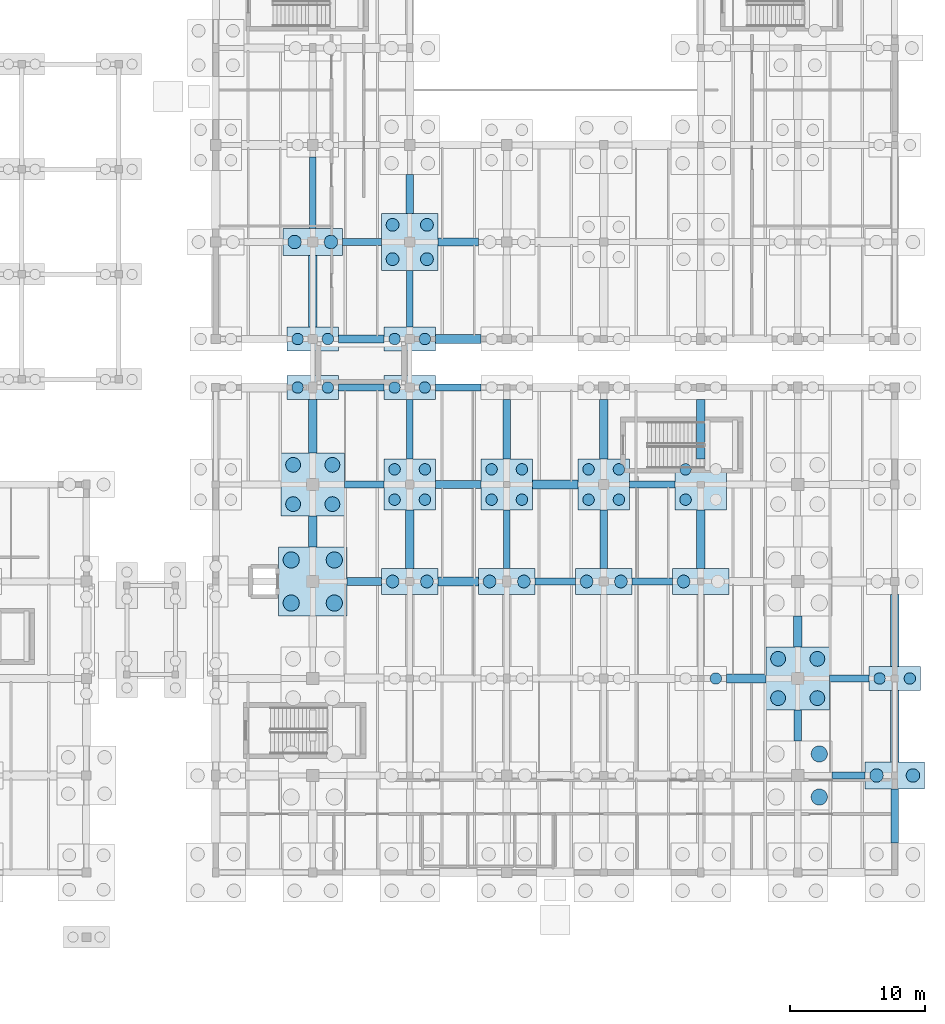
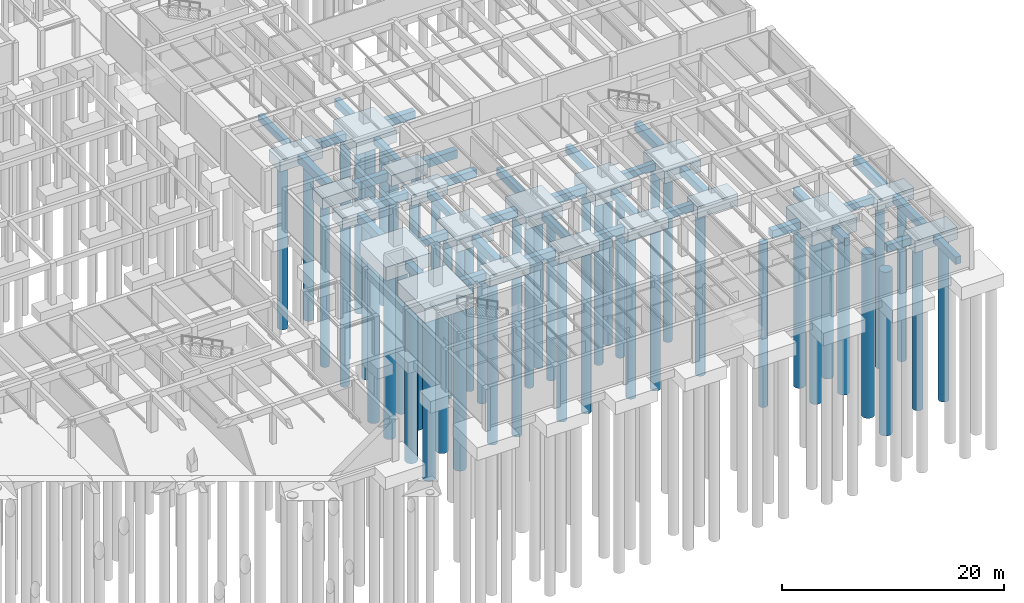
# One storey, part 13 of 63: 55 footings, 54 piles.
"""IFC4 building model written with IfcOpenShell, lengths in metres."""

import ifcopenshell
import ifcopenshell.guid

model = None  # the IFC model being written
_history = None  # IfcOwnerHistory: only IFC2X3 demands one
_inside = {}  # id of a spatial element -> (the spatial element, [elements in it])
_under = {}  # id of a project, library or spatial element -> (it, [spatial elements below it])
_declared = {}  # id of a project -> (the project, [libraries it declares])
_typed = {}  # id of a type object -> (the type object, [elements of that type])
_made_of = {}  # id of a material, layer set ... -> (it, [elements and type objects made of it])


def new_model(schema):
    """Start an empty IFC model of exactly this schema.

    Asked for "IFC4X3", IfcOpenShell would pick the latest addendum, in which some entities
    have other attributes; the version numbers below select the first issue.
    IFC2X3 requires an IfcOwnerHistory on every rooted entity: one is made here for all.
    """
    global model, _history
    if schema == "IFC4X3":
        model = ifcopenshell.file(schema_version=(4, 3, 0, 0))
    else:
        model = ifcopenshell.file(schema=schema)
    _inside.clear()
    _under.clear()
    _declared.clear()
    _typed.clear()
    _made_of.clear()
    _history = None
    if model.schema == "IFC2X3":
        org = make("IfcOrganization", Name="unknown")
        user = make(
            "IfcPersonAndOrganization",
            ThePerson=make("IfcPerson", FamilyName="unknown"),
            TheOrganization=org,
        )
        app = make(
            "IfcApplication",
            ApplicationDeveloper=org,
            Version="unknown",
            ApplicationFullName="unknown",
            ApplicationIdentifier="unknown",
        )
        _history = make(
            "IfcOwnerHistory",
            OwningUser=user,
            OwningApplication=app,
            ChangeAction="ADDED",
            CreationDate=0,
        )
    return model


def make(cls, **values):
    """One entity of the class cls with the attributes given. An attribute that is None is left unset."""
    return model.create_entity(
        cls, **{name: value for name, value in values.items() if value is not None}
    )


def rooted(cls, **values):
    """An entity with a GlobalId (a new one), such as an element, a storey or a relation."""
    return make(cls, GlobalId=ifcopenshell.guid.new(), OwnerHistory=_history, **values)


def si_unit(unit_type, name, prefix=None):
    """IfcSIUnit, for example si_unit("LENGTHUNIT", "METRE", prefix="MILLI")."""
    return make("IfcSIUnit", UnitType=unit_type, Prefix=prefix, Name=name)


def assignment(units):
    """IfcUnitAssignment: the units of a project."""
    return None if units is None else make("IfcUnitAssignment", Units=units)


def point(xyz):
    """IfcCartesianPoint."""
    return None if xyz is None else make("IfcCartesianPoint", Coordinates=xyz)


def direction(xyz):
    """IfcDirection."""
    return None if xyz is None else make("IfcDirection", DirectionRatios=xyz)


def frame(location, z_axis=None, x_axis=None):
    """IfcAxis2Placement3D, a coordinate frame: its origin and axes. An axis left out is left unset."""
    return make(
        "IfcAxis2Placement3D",
        Location=point(location),
        Axis=direction(z_axis),
        RefDirection=direction(x_axis),
    )


def frame_2d(location, x_axis=None):
    """IfcAxis2Placement2D, a coordinate frame in the plane: its origin and x axis."""
    return make(
        "IfcAxis2Placement2D", Location=point(location), RefDirection=direction(x_axis)
    )


def origin():
    """The frame at (0, 0, 0) with its axes left unset."""
    return frame((0.0, 0.0, 0.0))


def origin_2d():
    """The frame at (0, 0) in the plane with its x axis left unset."""
    return frame_2d((0.0, 0.0))


def place(relative_to, where):
    """IfcLocalPlacement: puts the frame where relative to a parent placement (None: the world)."""
    return make(
        "IfcLocalPlacement", PlacementRelTo=relative_to, RelativePlacement=where
    )


def context(
    kind, dimensions, precision=None, world=None, true_north=None, identifier=None
):
    """IfcGeometricRepresentationContext, for example the 3D "Model" context."""
    return make(
        "IfcGeometricRepresentationContext",
        ContextIdentifier=identifier,
        ContextType=kind,
        CoordinateSpaceDimension=dimensions,
        Precision=precision,
        WorldCoordinateSystem=world,
        TrueNorth=true_north,
    )


def subcontext(parent, identifier, kind, view, scale=None):
    """IfcGeometricRepresentationSubContext, for example "Body" below "Model"."""
    return make(
        "IfcGeometricRepresentationSubContext",
        ContextIdentifier=identifier,
        ContextType=kind,
        ParentContext=parent,
        TargetScale=scale,
        TargetView=view,
    )


def project(units=None, contexts=None):
    """IfcProject with its units and contexts."""
    return rooted(
        "IfcProject",
        Name="project",
        RepresentationContexts=contexts,
        UnitsInContext=assignment(units),
    )


def spatial(cls, under=None, at=None, **own):
    """A site, building, storey or space (cls), placed at a placement, below another one or the project."""
    s = rooted(cls, ObjectPlacement=at, **own)
    if under is not None:
        _under.setdefault(under.id(), (under, []))[1].append(s)
    return s


def profile(cls, at=None, kind="AREA", **sizes):
    """A parametric profile (cls). Its sizes go by their IFC names, for example OverallWidth=200.0."""
    return make(cls, ProfileType=kind, Position=at, **sizes)


def rectangle(**sizes):
    """IfcRectangleProfileDef."""
    return profile("IfcRectangleProfileDef", **sizes)


def circle(**sizes):
    """IfcCircleProfileDef."""
    return profile("IfcCircleProfileDef", **sizes)


def extrude(swept, where, along, depth):
    """IfcExtrudedAreaSolid: the profile swept, set in the frame where, extruded along a direction by depth."""
    return make(
        "IfcExtrudedAreaSolid",
        SweptArea=swept,
        Position=where,
        ExtrudedDirection=direction(along),
        Depth=depth,
    )


def shape(context_of_items, identifier, shape_type, items):
    """IfcShapeRepresentation: the items that make up one representation, for example the "Body"."""
    return make(
        "IfcShapeRepresentation",
        ContextOfItems=context_of_items,
        RepresentationIdentifier=identifier,
        RepresentationType=shape_type,
        Items=items,
    )


def material(Name=None, Category=None):
    """IfcMaterial."""
    return make("IfcMaterial", Name=Name, Category=Category)


def material_profile(
    of_material, cross_section, Name=None, Category=None, Priority=None
):
    """IfcMaterialProfile: a cross section and its material."""
    return make(
        "IfcMaterialProfile",
        Name=Name,
        Material=of_material,
        Profile=cross_section,
        Priority=Priority,
        Category=Category,
    )


def profile_set(profiles, Name=None, composite=None):
    """IfcMaterialProfileSet."""
    return make(
        "IfcMaterialProfileSet",
        Name=Name,
        MaterialProfiles=profiles,
        CompositeProfile=composite,
    )


def made_of(thing, what):
    """Note that an element or type object is made of a material, layer set ...; save() writes the relation."""
    if what is not None:
        _made_of.setdefault(what.id(), (what, []))[1].append(thing)
    return thing


def type_object(cls, material=None, **own):
    """A type object (cls), such as IfcWallType, which elements share."""
    return made_of(rooted(cls, **own), material)


def element(
    cls,
    number,
    at=None,
    inside=None,
    cuts=None,
    type_object=None,
    material=None,
    context=None,
    identifier="Body",
    shape_type=None,
    held_by="IfcProductDefinitionShape",
    body=None,
    shapes=None,
    **own,
):
    """One element of the class cls, such as IfcWall. Its Tag is "e" and its number.

    at: its placement. inside: the storey or other place that contains it. cuts: it is an
    opening in that element (IfcRelVoidsElement). A single representation is given by context,
    identifier, shape_type and body (its items); several are given by shapes. held_by: the class
    of the entity that holds the representations. save() writes the other relations.
    """
    e = rooted(cls, Tag="e%d" % number, ObjectPlacement=at, **own)
    if body is not None:
        shapes = [shape(context, identifier, shape_type, body)]
    if shapes is not None:
        e.Representation = make(held_by, Representations=shapes)
    if inside is not None:
        _inside.setdefault(inside.id(), (inside, []))[1].append(e)
    if cuts is not None:
        rooted(
            "IfcRelVoidsElement", RelatingBuildingElement=cuts, RelatedOpeningElement=e
        )
    if type_object is not None:
        _typed.setdefault(type_object.id(), (type_object, []))[1].append(e)
    return made_of(e, material)


def aggregate(whole, parts):
    """IfcRelAggregates: a whole, such as a stair, and the parts it consists of."""
    return rooted("IfcRelAggregates", RelatingObject=whole, RelatedObjects=parts)


def save(model, path):
    """Write the relations noted so far, then the file.

    IfcRelAggregates (storeys below a building ...), IfcRelContainedInSpatialStructure (elements
    in a storey), IfcRelDefinesByType, IfcRelAssociatesMaterial and IfcRelDeclares: one each for
    every whole, place, type object, material and project.
    """
    for whole, parts in _under.values():
        aggregate(whole, parts)
    for where, things in _inside.values():
        rooted(
            "IfcRelContainedInSpatialStructure",
            RelatedElements=things,
            RelatingStructure=where,
        )
    for kind, things in _typed.values():
        rooted("IfcRelDefinesByType", RelatedObjects=things, RelatingType=kind)
    for what, things in _made_of.values():
        rooted("IfcRelAssociatesMaterial", RelatedObjects=things, RelatingMaterial=what)
    for by, libraries in _declared.values():
        rooted("IfcRelDeclares", RelatingContext=by, RelatedDefinitions=libraries)
    model.write(path)


model = new_model("IFC4")

# Units and contexts
model_context = context("Model", 3, precision=1e-05, world=origin(), true_north=direction((0.0, 1.0)))
body_context = subcontext(model_context, "Body", "Model", "MODEL_VIEW")
ifc_project = project(units=[si_unit("LENGTHUNIT", "METRE"), si_unit("AREAUNIT", "SQUARE_METRE"), si_unit("VOLUMEUNIT", "CUBIC_METRE"), si_unit("PLANEANGLEUNIT", "RADIAN"), si_unit("MASSUNIT", "GRAM", prefix="KILO")], contexts=[model_context])

# Site, building, storey
site_placement = place(None, origin())
site = spatial("IfcSite", under=ifc_project, at=site_placement, CompositionType="ELEMENT")
building_placement = place(site_placement, origin())
building = spatial("IfcBuilding", under=site, at=building_placement, Name="Mazaris Harbour Polytechnic", CompositionType="ELEMENT")
storey_placement = place(building_placement, frame((0.0, 0.0, -4.5)))
storey = spatial("IfcBuildingStorey", under=building, at=storey_placement, Name="B1", CompositionType="ELEMENT", Elevation=-4.5)

# Piles
ifc_material_1 = material(Name="Concrete C35/45", Category="concrete")
ifc_material_profile_1 = material_profile(ifc_material_1, circle(Radius=0.5, at=origin_2d()), Name="DIA1000")
ifc_profile_set_1 = profile_set([ifc_material_profile_1], Name="Concrete C35/45")
pile_type_1 = type_object("IfcPileType", Name="Bored Pile 1000", PredefinedType="BORED", material=ifc_profile_set_1)
for number, where, z_axis, x_axis, name in (
    (1, (171.449951171875, 14.39990234375, -1.6201171875), (0.0, 0.0, -1.0), (1.0, 0.0, 0.0), "Bored Pile BP-107-1"),
    (2, (174.14990234375, 14.39990234375, -1.6201171875), (0.0, 0.0, -1.0), (1.0, 0.0, 0.0), "Bored Pile BP-107-2"),
    (3, (128.25, 54.0, -1.6201171875), (0.0, 0.0, -1.0), (1.0, 0.0, 0.0), "Bored Pile BP-251-1"),
    (4, (130.949951171875, 54.0, -1.6201171875), (0.0, 0.0, -1.0), (1.0, 0.0, 0.0), "Bored Pile BP-251-2"),
):
    element("IfcPile", number, at=place(storey_placement, frame(where, z_axis=z_axis, x_axis=x_axis)), inside=storey, type_object=pile_type_1, Name=name, PredefinedType="BORED", context=body_context, shape_type="SweptSolid", body=[
        extrude(circle(Radius=0.5, at=origin_2d()), origin(), (0.0, 0.0, 1.0), 18.0),
    ])
ifc_material_2 = material(Name="Concrete C35/45", Category="concrete")
ifc_material_profile_2 = material_profile(ifc_material_2, circle(Radius=0.550048828125, at=origin_2d()), Name="DIA1100")
ifc_profile_set_2 = profile_set([ifc_material_profile_2], Name="Concrete C35/45")
pile_type_2 = type_object("IfcPileType", Name="Bored Pile 1100", PredefinedType="BORED", material=ifc_profile_set_2)
for number, where, z_axis, x_axis, name in (
    (5, (128.142578125, 34.54248046875, -1.820068359375), (0.0, 0.0, -1.0), (1.0, 0.0, 0.0), "Bored Pile BP-074-1"),
    (6, (131.0576171875, 34.54248046875, -1.820068359375), (0.0, 0.0, -1.0), (1.0, 0.0, 0.0), "Bored Pile BP-074-2"),
    (7, (128.142578125, 37.45751953125, -1.820068359375), (0.0, 0.0, -1.0), (1.0, 0.0, 0.0), "Bored Pile BP-074-3"),
    (8, (131.0576171875, 37.45751953125, -1.820068359375), (0.0, 0.0, -1.0), (1.0, 0.0, 0.0), "Bored Pile BP-074-4"),
    (9, (164.142578125, 20.142578125, -1.820068359375), (0.0, 0.0, -1.0), (1.0, 0.0, 0.0), "Bored Pile BP-102-1"),
    (10, (167.0576171875, 20.142578125, -1.820068359375), (0.0, 0.0, -1.0), (1.0, 0.0, 0.0), "Bored Pile BP-102-2"),
    (11, (164.142578125, 23.0576171875, -1.820068359375), (0.0, 0.0, -1.0), (1.0, 0.0, 0.0), "Bored Pile BP-102-3"),
    (12, (167.0576171875, 23.0576171875, -1.820068359375), (0.0, 0.0, -1.0), (1.0, 0.0, 0.0), "Bored Pile BP-102-4"),
):
    element("IfcPile", number, at=place(storey_placement, frame(where, z_axis=z_axis, x_axis=x_axis)), inside=storey, type_object=pile_type_2, Name=name, PredefinedType="BORED", context=body_context, shape_type="SweptSolid", body=[
        extrude(circle(Radius=0.550048828125, at=origin_2d()), origin(), (0.0, 0.0, 1.0), 18.0),
    ])
ifc_material_3 = material(Name="Concrete C35/45", Category="concrete")
ifc_material_profile_3 = material_profile(ifc_material_3, circle(Radius=0.60009765625, at=origin_2d()), Name="DIA1200")
ifc_profile_set_3 = profile_set([ifc_material_profile_3], Name="Concrete C35/45")
pile_type_3 = type_object("IfcPileType", Name="Bored Pile 1200", PredefinedType="BORED", material=ifc_profile_set_3)
for number, where, z_axis, x_axis, name in (
    (13, (128.0, 27.199951171875, -1.8701171875), (0.0, 0.0, -1.0), (1.0, 0.0, 0.0), "Bored Pile BP-073-1"),
    (14, (131.199951171875, 27.199951171875, -1.8701171875), (0.0, 0.0, -1.0), (1.0, 0.0, 0.0), "Bored Pile BP-073-2"),
    (15, (128.0, 30.39990234375, -1.8701171875), (0.0, 0.0, -1.0), (1.0, 0.0, 0.0), "Bored Pile BP-073-3"),
    (16, (131.199951171875, 30.39990234375, -1.8701171875), (0.0, 0.0, -1.0), (1.0, 0.0, 0.0), "Bored Pile BP-073-4"),
    (17, (167.199951171875, 12.800048828125, -1.8701171875), (0.0, 0.0, -1.0), (1.0, 0.0, 0.0), "Bored Pile BP-101-2"),
    (18, (167.199951171875, 16.0, -1.8701171875), (0.0, 0.0, -1.0), (1.0, 0.0, 0.0), "Bored Pile BP-101-4"),
):
    element("IfcPile", number, at=place(storey_placement, frame(where, z_axis=z_axis, x_axis=x_axis)), inside=storey, type_object=pile_type_3, Name=name, PredefinedType="BORED", context=body_context, shape_type="SweptSolid", body=[
        extrude(circle(Radius=0.60009765625, at=origin_2d()), origin(), (0.0, 0.0, 1.0), 18.0),
    ])
ifc_material_4 = material(Name="Concrete C35/45", Category="concrete")
ifc_material_profile_4 = material_profile(ifc_material_4, circle(Radius=0.425048828125, at=origin_2d()), Name="DIA850")
ifc_profile_set_4 = profile_set([ifc_material_profile_4], Name="Concrete C35/45")
pile_type_4 = type_object("IfcPileType", Name="Bored Pile 850", PredefinedType="BORED", material=ifc_profile_set_4)
for number, where, z_axis, x_axis, name in (
    (19, (128.473876953125, 43.199951171875, -1.52001953125), (0.0, 0.0, -1.0), (1.0, 0.0, 0.0), "Bored Pile BP-075-1"),
    (20, (130.726318359375, 43.199951171875, -1.52001953125), (0.0, 0.0, -1.0), (1.0, 0.0, 0.0), "Bored Pile BP-075-2"),
    (21, (135.673828125, 34.873779296875, -1.6201171875), (0.0, 0.0, -1.0), (1.0, 0.0, 0.0), "Bored Pile BP-080-1"),
    (22, (137.92626953125, 34.873779296875, -1.6201171875), (0.0, 0.0, -1.0), (1.0, 0.0, 0.0), "Bored Pile BP-080-2"),
    (23, (135.673828125, 37.126220703125, -1.6201171875), (0.0, 0.0, -1.0), (1.0, 0.0, 0.0), "Bored Pile BP-080-3"),
    (24, (137.92626953125, 37.126220703125, -1.6201171875), (0.0, 0.0, -1.0), (1.0, 0.0, 0.0), "Bored Pile BP-080-4"),
    (25, (135.673828125, 43.199951171875, -1.52001953125), (0.0, 0.0, -1.0), (1.0, 0.0, 0.0), "Bored Pile BP-081-1"),
    (26, (137.92626953125, 43.199951171875, -1.52001953125), (0.0, 0.0, -1.0), (1.0, 0.0, 0.0), "Bored Pile BP-081-2"),
    (27, (142.873779296875, 34.873779296875, -1.6201171875), (0.0, 0.0, -1.0), (1.0, 0.0, 0.0), "Bored Pile BP-086-1"),
    (28, (145.126220703125, 34.873779296875, -1.6201171875), (0.0, 0.0, -1.0), (1.0, 0.0, 0.0), "Bored Pile BP-086-2"),
    (29, (142.873779296875, 37.126220703125, -1.6201171875), (0.0, 0.0, -1.0), (1.0, 0.0, 0.0), "Bored Pile BP-086-3"),
    (30, (145.126220703125, 37.126220703125, -1.6201171875), (0.0, 0.0, -1.0), (1.0, 0.0, 0.0), "Bored Pile BP-086-4"),
    (31, (150.07373046875, 34.873779296875, -1.6201171875), (0.0, 0.0, -1.0), (1.0, 0.0, 0.0), "Bored Pile BP-092-1"),
    (32, (152.326171875, 34.873779296875, -1.6201171875), (0.0, 0.0, -1.0), (1.0, 0.0, 0.0), "Bored Pile BP-092-2"),
    (33, (150.07373046875, 37.126220703125, -1.6201171875), (0.0, 0.0, -1.0), (1.0, 0.0, 0.0), "Bored Pile BP-092-3"),
    (34, (152.326171875, 37.126220703125, -1.6201171875), (0.0, 0.0, -1.0), (1.0, 0.0, 0.0), "Bored Pile BP-092-4"),
    (35, (159.526123046875, 21.60009765625, -1.52001953125), (0.0, 0.0, -1.0), (1.0, 0.0, 0.0), "Bored Pile BP-096-2"),
    (36, (157.273681640625, 34.873779296875, -1.6201171875), (0.0, 0.0, -1.0), (1.0, 0.0, 0.0), "Bored Pile BP-098-1"),
    (37, (157.273681640625, 37.126220703125, -1.6201171875), (0.0, 0.0, -1.0), (1.0, 0.0, 0.0), "Bored Pile BP-098-3"),
    (38, (171.673828125, 21.60009765625, -1.52001953125), (0.0, 0.0, -1.0), (1.0, 0.0, 0.0), "Bored Pile BP-108-1"),
    (39, (173.92626953125, 21.60009765625, -1.52001953125), (0.0, 0.0, -1.0), (1.0, 0.0, 0.0), "Bored Pile BP-108-2"),
    (40, (128.473876953125, 46.800048828125, -1.52001953125), (0.0, 0.0, -1.0), (1.0, 0.0, 0.0), "Bored Pile BP-250-1"),
    (41, (130.726318359375, 46.800048828125, -1.52001953125), (0.0, 0.0, -1.0), (1.0, 0.0, 0.0), "Bored Pile BP-250-2"),
    (42, (135.673828125, 46.800048828125, -1.52001953125), (0.0, 0.0, -1.0), (1.0, 0.0, 0.0), "Bored Pile BP-260-1"),
    (43, (137.92626953125, 46.800048828125, -1.52001953125), (0.0, 0.0, -1.0), (1.0, 0.0, 0.0), "Bored Pile BP-260-2"),
):
    element("IfcPile", number, at=place(storey_placement, frame(where, z_axis=z_axis, x_axis=x_axis)), inside=storey, type_object=pile_type_4, Name=name, PredefinedType="BORED", context=body_context, shape_type="SweptSolid", body=[
        extrude(circle(Radius=0.425048828125, at=origin_2d()), origin(), (0.0, 0.0, 1.0), 18.0),
    ])
ifc_material_5 = material(Name="Concrete C35/45", Category="concrete")
ifc_material_profile_5 = material_profile(ifc_material_5, circle(Radius=0.47509765625, at=origin_2d()), Name="DIA950")
ifc_profile_set_5 = profile_set([ifc_material_profile_5], Name="Concrete C35/45")
pile_type_5 = type_object("IfcPileType", Name="Bored Pile 950", PredefinedType="BORED", material=ifc_profile_set_5)
for number, where, z_axis, x_axis, name in (
    (44, (135.52490234375, 28.800048828125, -1.570068359375), (0.0, 0.0, -1.0), (1.0, 0.0, 0.0), "Bored Pile BP-079-1"),
    (45, (138.074951171875, 28.800048828125, -1.570068359375), (0.0, 0.0, -1.0), (1.0, 0.0, 0.0), "Bored Pile BP-079-2"),
    (46, (142.72509765625, 28.800048828125, -1.570068359375), (0.0, 0.0, -1.0), (1.0, 0.0, 0.0), "Bored Pile BP-085-1"),
    (47, (145.27490234375, 28.800048828125, -1.570068359375), (0.0, 0.0, -1.0), (1.0, 0.0, 0.0), "Bored Pile BP-085-2"),
    (48, (149.925048828125, 28.800048828125, -1.570068359375), (0.0, 0.0, -1.0), (1.0, 0.0, 0.0), "Bored Pile BP-091-1"),
    (49, (152.47509765625, 28.800048828125, -1.570068359375), (0.0, 0.0, -1.0), (1.0, 0.0, 0.0), "Bored Pile BP-091-2"),
    (50, (157.125, 28.800048828125, -1.570068359375), (0.0, 0.0, -1.0), (1.0, 0.0, 0.0), "Bored Pile BP-097-1"),
    (51, (135.52490234375, 52.72509765625, -1.669921875), (0.0, 0.0, -1.0), (1.0, 0.0, 0.0), "Bored Pile BP-261-1"),
    (52, (138.074951171875, 52.72509765625, -1.669921875), (0.0, 0.0, -1.0), (1.0, 0.0, 0.0), "Bored Pile BP-261-2"),
    (53, (135.52490234375, 55.27490234375, -1.669921875), (0.0, 0.0, -1.0), (1.0, 0.0, 0.0), "Bored Pile BP-261-3"),
    (54, (138.074951171875, 55.27490234375, -1.669921875), (0.0, 0.0, -1.0), (1.0, 0.0, 0.0), "Bored Pile BP-261-4"),
):
    element("IfcPile", number, at=place(storey_placement, frame(where, z_axis=z_axis, x_axis=x_axis)), inside=storey, type_object=pile_type_5, Name=name, PredefinedType="BORED", context=body_context, shape_type="SweptSolid", body=[
        extrude(circle(Radius=0.47509765625, at=origin_2d()), origin(), (0.0, 0.0, 1.0), 18.0),
    ])

# Footings
ifc_material_6 = material(Name="Concrete C35/45", Category="concrete")
footing_type_1 = type_object("IfcFootingType", Name="Pile Cap 3800x1800x1200", PredefinedType="PILE_CAP", material=ifc_material_6)
for number, where, z_axis, x_axis, name in (
    (55, (129.60009765625, 43.199951171875, -1.6201171875), (0.0, 0.0, 1.0), (1.0, 0.0, 0.0), "Pile Cap CAP-075"),
    (56, (136.800048828125, 43.199951171875, -1.6201171875), (0.0, 0.0, 1.0), (1.0, 0.0, 0.0), "Pile Cap CAP-081"),
    (57, (172.800048828125, 21.60009765625, -1.6201171875), (0.0, 0.0, 1.0), (1.0, 0.0, 0.0), "Pile Cap CAP-108"),
    (58, (129.60009765625, 46.800048828125, -1.6201171875), (0.0, 0.0, 1.0), (1.0, 0.0, 0.0), "Pile Cap CAP-250"),
    (59, (136.800048828125, 46.800048828125, -1.6201171875), (0.0, 0.0, 1.0), (1.0, 0.0, 0.0), "Pile Cap CAP-260"),
):
    element("IfcFooting", number, at=place(storey_placement, frame(where, z_axis=z_axis, x_axis=x_axis)), inside=storey, type_object=footing_type_1, Name=name, PredefinedType="PILE_CAP", context=body_context, shape_type="SweptSolid", body=[
        extrude(rectangle(XDim=3.800048828125, YDim=1.800048828125, at=origin_2d()), origin(), (0.0, 0.0, 1.0), 1.199951171875),
    ])
ifc_material_7 = material(Name="Concrete C35/45", Category="concrete")
footing_type_2 = type_object("IfcFootingType", Name="Pile Cap 3800x3800x1300", PredefinedType="PILE_CAP", material=ifc_material_7)
for number, where, z_axis, x_axis, name in (
    (60, (136.800048828125, 36.0, -1.72021484375), (0.0, 0.0, 1.0), (1.0, 0.0, 0.0), "Pile Cap CAP-080"),
    (61, (144.0, 36.0, -1.72021484375), (0.0, 0.0, 1.0), (1.0, 0.0, 0.0), "Pile Cap CAP-086"),
    (62, (151.199951171875, 36.0, -1.72021484375), (0.0, 0.0, 1.0), (1.0, 0.0, 0.0), "Pile Cap CAP-092"),
    (63, (158.39990234375, 36.0, -1.72021484375), (0.0, 0.0, 1.0), (1.0, 0.0, 0.0), "Pile Cap CAP-098"),
):
    element("IfcFooting", number, at=place(storey_placement, frame(where, z_axis=z_axis, x_axis=x_axis)), inside=storey, type_object=footing_type_2, Name=name, PredefinedType="PILE_CAP", context=body_context, shape_type="SweptSolid", body=[
        extrude(rectangle(XDim=3.800048828125, YDim=3.800048828125, at=origin_2d()), origin(), (0.0, 0.0, 1.0), 1.300048828125),
    ])
ifc_material_8 = material(Name="Concrete C35/45", Category="concrete")
footing_type_3 = type_object("IfcFootingType", Name="Pile Cap 4200x1900x1250", PredefinedType="PILE_CAP", material=ifc_material_8)
for number, where, z_axis, x_axis, name in (
    (64, (136.800048828125, 28.800048828125, -1.669921875), (0.0, 0.0, 1.0), (1.0, 0.0, 0.0), "Pile Cap CAP-079"),
    (65, (144.0, 28.800048828125, -1.669921875), (0.0, 0.0, 1.0), (1.0, 0.0, 0.0), "Pile Cap CAP-085"),
    (66, (151.199951171875, 28.800048828125, -1.669921875), (0.0, 0.0, 1.0), (1.0, 0.0, 0.0), "Pile Cap CAP-091"),
    (67, (158.39990234375, 28.800048828125, -1.669921875), (0.0, 0.0, 1.0), (1.0, 0.0, 0.0), "Pile Cap CAP-097"),
):
    element("IfcFooting", number, at=place(storey_placement, frame(where, z_axis=z_axis, x_axis=x_axis)), inside=storey, type_object=footing_type_3, Name=name, PredefinedType="PILE_CAP", context=body_context, shape_type="SweptSolid", body=[
        extrude(rectangle(XDim=4.199951171875, YDim=1.89990234375, at=origin_2d()), origin(), (0.0, 0.0, 1.0), 1.25),
    ])
ifc_material_9 = material(Name="Concrete C35/45", Category="concrete")
footing_type_4 = type_object("IfcFootingType", Name="Pile Cap 4200x4200x1350", PredefinedType="PILE_CAP", material=ifc_material_9)
footing_1_placement = place(storey_placement, frame((136.800048828125, 54.0, -1.77001953125), z_axis=(0.0, 0.0, 1.0), x_axis=(1.0, 0.0, 0.0)))
element("IfcFooting", 68, at=footing_1_placement, inside=storey, type_object=footing_type_4, Name="Pile Cap CAP-261", PredefinedType="PILE_CAP", context=body_context, shape_type="SweptSolid", body=[
    extrude(rectangle(XDim=4.199951171875, YDim=4.199951171875, at=origin_2d()), origin(), (0.0, 0.0, 1.0), 1.35009765625),
])
ifc_material_10 = material(Name="Concrete C35/45", Category="concrete")
footing_type_5 = type_object("IfcFootingType", Name="Pile Cap 4400x2000x1300", PredefinedType="PILE_CAP", material=ifc_material_10)
for number, where, z_axis, x_axis, name in (
    (69, (172.800048828125, 14.39990234375, -1.72021484375), (0.0, 0.0, 1.0), (1.0, 0.0, 0.0), "Pile Cap CAP-107"),
    (70, (129.60009765625, 54.0, -1.72021484375), (0.0, 0.0, 1.0), (1.0, 0.0, 0.0), "Pile Cap CAP-251"),
):
    element("IfcFooting", number, at=place(storey_placement, frame(where, z_axis=z_axis, x_axis=x_axis)), inside=storey, type_object=footing_type_5, Name=name, PredefinedType="PILE_CAP", context=body_context, shape_type="SweptSolid", body=[
        extrude(rectangle(XDim=4.39990234375, YDim=2.0, at=origin_2d()), origin(), (0.0, 0.0, 1.0), 1.300048828125),
    ])
ifc_material_11 = material(Name="Concrete C35/45", Category="concrete")
footing_type_6 = type_object("IfcFootingType", Name="Pile Cap 4700x4700x1500", PredefinedType="PILE_CAP", material=ifc_material_11)
for number, where, z_axis, x_axis, name in (
    (71, (129.60009765625, 36.0, -1.919921875), (0.0, 0.0, 1.0), (1.0, 0.0, 0.0), "Pile Cap CAP-074"),
    (72, (165.60009765625, 21.60009765625, -1.919921875), (0.0, 0.0, 1.0), (1.0, 0.0, 0.0), "Pile Cap CAP-102"),
):
    element("IfcFooting", number, at=place(storey_placement, frame(where, z_axis=z_axis, x_axis=x_axis)), inside=storey, type_object=footing_type_6, Name=name, PredefinedType="PILE_CAP", context=body_context, shape_type="SweptSolid", body=[
        extrude(rectangle(XDim=4.699951171875, YDim=4.699951171875, at=origin_2d()), origin(), (0.0, 0.0, 1.0), 1.5),
    ])
ifc_material_12 = material(Name="Concrete C35/45", Category="concrete")
footing_type_7 = type_object("IfcFootingType", Name="Pile Cap 5100x5100x1550", PredefinedType="PILE_CAP", material=ifc_material_12)
footing_2_placement = place(storey_placement, frame((129.60009765625, 28.800048828125, -1.97021484375), z_axis=(0.0, 0.0, 1.0), x_axis=(1.0, 0.0, 0.0)))
element("IfcFooting", 73, at=footing_2_placement, inside=storey, type_object=footing_type_7, Name="Pile Cap CAP-073", PredefinedType="PILE_CAP", context=body_context, shape_type="SweptSolid", body=[
    extrude(rectangle(XDim=5.10009765625, YDim=5.10009765625, at=origin_2d()), origin(), (0.0, 0.0, 1.0), 1.550048828125),
])
ifc_material_13 = material(Name="Concrete C35/45", Category="concrete")
ifc_material_profile_6 = material_profile(ifc_material_13, rectangle(XDim=0.5, YDim=0.75, at=origin_2d()), Name="RECT500x750")
ifc_profile_set_6 = profile_set([ifc_material_profile_6], Name="Concrete C35/45")
footing_type_8 = type_object("IfcFootingType", Name="Seismic Tie Beam 500x750", PredefinedType="FOOTING_BEAM", material=ifc_profile_set_6)
footing_3_placement = place(storey_placement, frame((167.949951171875, 21.60009765625, -0.8349609375), z_axis=(1.0, 0.0, 0.0), x_axis=(0.0, 1.0, 0.0)))
element("IfcFooting", 74, at=footing_3_placement, inside=storey, type_object=footing_type_8, Name="Seismic Tie Beam FTB-124", PredefinedType="FOOTING_BEAM", context=body_context, shape_type="SweptSolid", body=[
    extrude(rectangle(XDim=0.5, YDim=0.75, at=origin_2d()), origin(), (0.0, 0.0, 1.0), 2.949951171875),
])
footing_4_placement = place(storey_placement, frame((146.10009765625, 28.800048828125, -0.8349609375), z_axis=(1.0, 0.0, 0.0), x_axis=(0.0, 1.0, 0.0)))
element("IfcFooting", 75, at=footing_4_placement, inside=storey, type_object=footing_type_8, Name="Seismic Tie Beam FTB-128", PredefinedType="FOOTING_BEAM", context=body_context, shape_type="SweptSolid", body=[
    extrude(rectangle(XDim=0.5, YDim=0.75, at=origin_2d()), origin(), (0.0, 0.0, 1.0), 3.0),
])
for number, where, z_axis, x_axis, name in (
    (76, (153.10009765625, 36.0, -0.8349609375), (1.0, 0.0, 0.0), (0.0, 1.0, 0.0), "Seismic Tie Beam FTB-136"),
    (77, (131.5, 43.199951171875, -0.8349609375), (1.0, 0.0, 0.0), (0.0, 1.0, 0.0), "Seismic Tie Beam FTB-140"),
):
    element("IfcFooting", number, at=place(storey_placement, frame(where, z_axis=z_axis, x_axis=x_axis)), inside=storey, type_object=footing_type_8, Name=name, PredefinedType="FOOTING_BEAM", context=body_context, shape_type="SweptSolid", body=[
        extrude(rectangle(XDim=0.5, YDim=0.75, at=origin_2d()), origin(), (0.0, 0.0, 1.0), 3.39990234375),
    ])
footing_5_placement = place(storey_placement, frame((136.800048828125, 37.89990234375, -0.8349609375), z_axis=(0.0, 1.0, 0.0), x_axis=(-1.0, 0.0, 0.0)))
element("IfcFooting", 78, at=footing_5_placement, inside=storey, type_object=footing_type_8, Name="Seismic Tie Beam FTB-160", PredefinedType="FOOTING_BEAM", context=body_context, shape_type="SweptSolid", body=[
    extrude(rectangle(XDim=0.5, YDim=0.75, at=origin_2d()), origin(), (0.0, 0.0, 1.0), 4.400146484375),
])
footing_6_placement = place(storey_placement, frame((144.0, 29.75, -0.8349609375), z_axis=(0.0, 1.0, 0.0), x_axis=(-1.0, 0.0, 0.0)))
element("IfcFooting", 79, at=footing_6_placement, inside=storey, type_object=footing_type_8, Name="Seismic Tie Beam FTB-164", PredefinedType="FOOTING_BEAM", context=body_context, shape_type="SweptSolid", body=[
    extrude(rectangle(XDim=0.5, YDim=0.75, at=origin_2d()), origin(), (0.0, 0.0, 1.0), 4.35009765625),
])
footing_7_placement = place(storey_placement, frame((129.60009765625, 55.0, -0.8349609375), z_axis=(0.0, 1.0, 0.0), x_axis=(-1.0, 0.0, 0.0)))
element("IfcFooting", 80, at=footing_7_placement, inside=storey, type_object=footing_type_8, Name="Seismic Tie Beam FTB-476", PredefinedType="FOOTING_BEAM", context=body_context, shape_type="SweptSolid", body=[
    extrude(rectangle(XDim=0.5, YDim=0.75, at=origin_2d()), origin(), (0.0, 0.0, 1.0), 5.300048828125),
])
footing_8_placement = place(storey_placement, frame((136.800048828125, 47.699951171875, -0.8349609375), z_axis=(0.0, 1.0, 0.0), x_axis=(-1.0, 0.0, 0.0)))
element("IfcFooting", 81, at=footing_8_placement, inside=storey, type_object=footing_type_8, Name="Seismic Tie Beam FTB-484", PredefinedType="FOOTING_BEAM", context=body_context, shape_type="SweptSolid", body=[
    extrude(rectangle(XDim=0.5, YDim=0.75, at=origin_2d()), origin(), (0.0, 0.0, 1.0), 4.199951171875),
])
ifc_material_14 = material(Name="Concrete C35/45", Category="concrete")
ifc_material_profile_7 = material_profile(ifc_material_14, rectangle(XDim=0.550048828125, YDim=0.800048828125, at=origin_2d()), Name="RECT550x800")
ifc_profile_set_7 = profile_set([ifc_material_profile_7], Name="Concrete C35/45")
footing_type_9 = type_object("IfcFootingType", Name="Seismic Tie Beam 550x800", PredefinedType="FOOTING_BEAM", material=ifc_profile_set_7)
footing_9_placement = place(storey_placement, frame((168.14990234375, 14.39990234375, -0.860107421875), z_axis=(1.0, 0.0, 0.0), x_axis=(0.0, 1.0, 0.0)))
element("IfcFooting", 82, at=footing_9_placement, inside=storey, type_object=footing_type_9, Name="Seismic Tie Beam FTB-117", PredefinedType="FOOTING_BEAM", context=body_context, shape_type="SweptSolid", body=[
    extrude(rectangle(XDim=0.550048828125, YDim=0.800048828125, at=origin_2d()), origin(), (0.0, 0.0, 1.0), 2.4501953125),
])
footing_10_placement = place(storey_placement, frame((153.300048828125, 28.800048828125, -0.860107421875), z_axis=(1.0, 0.0, 0.0), x_axis=(0.0, 1.0, 0.0)))
element("IfcFooting", 83, at=footing_10_placement, inside=storey, type_object=footing_type_9, Name="Seismic Tie Beam FTB-129", PredefinedType="FOOTING_BEAM", context=body_context, shape_type="SweptSolid", body=[
    extrude(rectangle(XDim=0.550048828125, YDim=0.800048828125, at=origin_2d()), origin(), (0.0, 0.0, 1.0), 3.0),
])
footing_11_placement = place(storey_placement, frame((131.949951171875, 36.0, -0.860107421875), z_axis=(1.0, 0.0, 0.0), x_axis=(0.0, 1.0, 0.0)))
element("IfcFooting", 84, at=footing_11_placement, inside=storey, type_object=footing_type_9, Name="Seismic Tie Beam FTB-133", PredefinedType="FOOTING_BEAM", context=body_context, shape_type="SweptSolid", body=[
    extrude(rectangle(XDim=0.550048828125, YDim=0.800048828125, at=origin_2d()), origin(), (0.0, 0.0, 1.0), 2.949951171875),
])
footing_12_placement = place(storey_placement, frame((138.699951171875, 43.199951171875, -0.860107421875), z_axis=(1.0, 0.0, 0.0), x_axis=(0.0, 1.0, 0.0)))
element("IfcFooting", 85, at=footing_12_placement, inside=storey, type_object=footing_type_9, Name="Seismic Tie Beam FTB-141", PredefinedType="FOOTING_BEAM", context=body_context, shape_type="SweptSolid", body=[
    extrude(rectangle(XDim=0.550048828125, YDim=0.800048828125, at=origin_2d()), origin(), (0.0, 0.0, 1.0), 3.400146484375),
])
footing_13_placement = place(storey_placement, frame((144.0, 37.89990234375, -0.860107421875), z_axis=(0.0, 1.0, 0.0), x_axis=(-1.0, 0.0, 0.0)))
element("IfcFooting", 86, at=footing_13_placement, inside=storey, type_object=footing_type_9, Name="Seismic Tie Beam FTB-165", PredefinedType="FOOTING_BEAM", context=body_context, shape_type="SweptSolid", body=[
    extrude(rectangle(XDim=0.550048828125, YDim=0.800048828125, at=origin_2d()), origin(), (0.0, 0.0, 1.0), 4.400146484375),
])
footing_14_placement = place(storey_placement, frame((151.199951171875, 29.75, -0.860107421875), z_axis=(0.0, 1.0, 0.0), x_axis=(-1.0, 0.0, 0.0)))
element("IfcFooting", 87, at=footing_14_placement, inside=storey, type_object=footing_type_9, Name="Seismic Tie Beam FTB-169", PredefinedType="FOOTING_BEAM", context=body_context, shape_type="SweptSolid", body=[
    extrude(rectangle(XDim=0.550048828125, YDim=0.800048828125, at=origin_2d()), origin(), (0.0, 0.0, 1.0), 4.35009765625),
])
footing_15_placement = place(storey_placement, frame((165.60009765625, 16.949951171875, -0.860107421875), z_axis=(0.0, 1.0, 0.0), x_axis=(-1.0, 0.0, 0.0)))
element("IfcFooting", 88, at=footing_15_placement, inside=storey, type_object=footing_type_9, Name="Seismic Tie Beam FTB-177", PredefinedType="FOOTING_BEAM", context=body_context, shape_type="SweptSolid", body=[
    extrude(rectangle(XDim=0.550048828125, YDim=0.800048828125, at=origin_2d()), origin(), (0.0, 0.0, 1.0), 2.300048828125),
])
footing_16_placement = place(storey_placement, frame((172.800048828125, 9.39990234375, -0.860107421875), z_axis=(0.0, 1.0, 0.0), x_axis=(-1.0, 0.0, 0.0)))
element("IfcFooting", 89, at=footing_16_placement, inside=storey, type_object=footing_type_9, Name="Seismic Tie Beam FTB-181", PredefinedType="FOOTING_BEAM", context=body_context, shape_type="SweptSolid", body=[
    extrude(rectangle(XDim=0.550048828125, YDim=0.800048828125, at=origin_2d()), origin(), (0.0, 0.0, 1.0), 4.0),
])
for number, where, z_axis, x_axis, name in (
    (90, (131.800048828125, 54.0, -0.860107421875), (1.0, 0.0, 0.0), (0.0, 1.0, 0.0), "Seismic Tie Beam FTB-413"),
    (91, (136.800048828125, 56.10009765625, -0.860107421875), (0.0, 1.0, 0.0), (-1.0, 0.0, 0.0), "Seismic Tie Beam FTB-485"),
):
    element("IfcFooting", number, at=place(storey_placement, frame(where, z_axis=z_axis, x_axis=x_axis)), inside=storey, type_object=footing_type_9, Name=name, PredefinedType="FOOTING_BEAM", context=body_context, shape_type="SweptSolid", body=[
        extrude(rectangle(XDim=0.550048828125, YDim=0.800048828125, at=origin_2d()), origin(), (0.0, 0.0, 1.0), 2.89990234375),
    ])
ifc_material_15 = material(Name="Concrete C35/45", Category="concrete")
ifc_material_profile_8 = material_profile(ifc_material_15, rectangle(XDim=0.60009765625, YDim=0.85009765625, at=origin_2d()), Name="RECT600x850")
ifc_profile_set_8 = profile_set([ifc_material_profile_8], Name="Concrete C35/45")
footing_type_10 = type_object("IfcFootingType", Name="Seismic Tie Beam 600x850", PredefinedType="FOOTING_BEAM", material=ifc_profile_set_8)
footing_17_placement = place(storey_placement, frame((132.14990234375, 28.800048828125, -0.885009765625), z_axis=(1.0, 0.0, 0.0), x_axis=(0.0, 1.0, 0.0)))
element("IfcFooting", 92, at=footing_17_placement, inside=storey, type_object=footing_type_10, Name="Seismic Tie Beam FTB-126", PredefinedType="FOOTING_BEAM", context=body_context, shape_type="SweptSolid", body=[
    extrude(rectangle(XDim=0.60009765625, YDim=0.85009765625, at=origin_2d()), origin(), (0.0, 0.0, 1.0), 2.550048828125),
])
footing_18_placement = place(storey_placement, frame((138.699951171875, 36.0, -0.885009765625), z_axis=(1.0, 0.0, 0.0), x_axis=(0.0, 1.0, 0.0)))
element("IfcFooting", 93, at=footing_18_placement, inside=storey, type_object=footing_type_10, Name="Seismic Tie Beam FTB-134", PredefinedType="FOOTING_BEAM", context=body_context, shape_type="SweptSolid", body=[
    extrude(rectangle(XDim=0.60009765625, YDim=0.85009765625, at=origin_2d()), origin(), (0.0, 0.0, 1.0), 3.400146484375),
])
footing_19_placement = place(storey_placement, frame((129.60009765625, 31.35009765625, -0.885009765625), z_axis=(0.0, 1.0, 0.0), x_axis=(-1.0, 0.0, 0.0)))
element("IfcFooting", 94, at=footing_19_placement, inside=storey, type_object=footing_type_10, Name="Seismic Tie Beam FTB-154", PredefinedType="FOOTING_BEAM", context=body_context, shape_type="SweptSolid", body=[
    extrude(rectangle(XDim=0.60009765625, YDim=0.85009765625, at=origin_2d()), origin(), (0.0, 0.0, 1.0), 2.2998046875),
])
footing_20_placement = place(storey_placement, frame((151.199951171875, 37.89990234375, -0.885009765625), z_axis=(0.0, 1.0, 0.0), x_axis=(-1.0, 0.0, 0.0)))
element("IfcFooting", 95, at=footing_20_placement, inside=storey, type_object=footing_type_10, Name="Seismic Tie Beam FTB-170", PredefinedType="FOOTING_BEAM", context=body_context, shape_type="SweptSolid", body=[
    extrude(rectangle(XDim=0.60009765625, YDim=0.85009765625, at=origin_2d()), origin(), (0.0, 0.0, 1.0), 4.400146484375),
])
footing_21_placement = place(storey_placement, frame((158.39990234375, 29.75, -0.885009765625), z_axis=(0.0, 1.0, 0.0), x_axis=(-1.0, 0.0, 0.0)))
element("IfcFooting", 96, at=footing_21_placement, inside=storey, type_object=footing_type_10, Name="Seismic Tie Beam FTB-174", PredefinedType="FOOTING_BEAM", context=body_context, shape_type="SweptSolid", body=[
    extrude(rectangle(XDim=0.60009765625, YDim=0.85009765625, at=origin_2d()), origin(), (0.0, 0.0, 1.0), 4.35009765625),
])
footing_22_placement = place(storey_placement, frame((165.60009765625, 23.949951171875, -0.885009765625), z_axis=(0.0, 1.0, 0.0), x_axis=(-1.0, 0.0, 0.0)))
element("IfcFooting", 97, at=footing_22_placement, inside=storey, type_object=footing_type_10, Name="Seismic Tie Beam FTB-178", PredefinedType="FOOTING_BEAM", context=body_context, shape_type="SweptSolid", body=[
    extrude(rectangle(XDim=0.60009765625, YDim=0.85009765625, at=origin_2d()), origin(), (0.0, 0.0, 1.0), 2.300048828125),
])
footing_23_placement = place(storey_placement, frame((172.800048828125, 15.39990234375, -0.885009765625), z_axis=(0.0, 1.0, 0.0), x_axis=(-1.0, 0.0, 0.0)))
element("IfcFooting", 98, at=footing_23_placement, inside=storey, type_object=footing_type_10, Name="Seismic Tie Beam FTB-182", PredefinedType="FOOTING_BEAM", context=body_context, shape_type="SweptSolid", body=[
    extrude(rectangle(XDim=0.60009765625, YDim=0.85009765625, at=origin_2d()), origin(), (0.0, 0.0, 1.0), 5.300048828125),
])
footing_24_placement = place(storey_placement, frame((131.5, 46.800048828125, -0.885009765625), z_axis=(1.0, 0.0, 0.0), x_axis=(0.0, 1.0, 0.0)))
element("IfcFooting", 99, at=footing_24_placement, inside=storey, type_object=footing_type_10, Name="Seismic Tie Beam FTB-406", PredefinedType="FOOTING_BEAM", context=body_context, shape_type="SweptSolid", body=[
    extrude(rectangle(XDim=0.60009765625, YDim=0.85009765625, at=origin_2d()), origin(), (0.0, 0.0, 1.0), 3.39990234375),
])
footing_25_placement = place(storey_placement, frame((138.89990234375, 54.0, -0.885009765625), z_axis=(1.0, 0.0, 0.0), x_axis=(0.0, 1.0, 0.0)))
element("IfcFooting", 100, at=footing_25_placement, inside=storey, type_object=footing_type_10, Name="Seismic Tie Beam FTB-414", PredefinedType="FOOTING_BEAM", context=body_context, shape_type="SweptSolid", body=[
    extrude(rectangle(XDim=0.60009765625, YDim=0.85009765625, at=origin_2d()), origin(), (0.0, 0.0, 1.0), 3.0),
])
ifc_material_16 = material(Name="Concrete C35/45", Category="concrete")
ifc_material_profile_9 = material_profile(ifc_material_16, rectangle(XDim=0.64990234375, YDim=0.89990234375, at=origin_2d()), Name="RECT650x900")
ifc_profile_set_9 = profile_set([ifc_material_profile_9], Name="Concrete C35/45")
footing_type_11 = type_object("IfcFootingType", Name="Seismic Tie Beam 650x900", PredefinedType="FOOTING_BEAM", material=ifc_profile_set_9)
footing_26_placement = place(storey_placement, frame((160.300048828125, 21.60009765625, -0.909912109375), z_axis=(1.0, 0.0, 0.0), x_axis=(0.0, 1.0, 0.0)))
element("IfcFooting", 101, at=footing_26_placement, inside=storey, type_object=footing_type_11, Name="Seismic Tie Beam FTB-123", PredefinedType="FOOTING_BEAM", context=body_context, shape_type="SweptSolid", body=[
    extrude(rectangle(XDim=0.64990234375, YDim=0.89990234375, at=origin_2d()), origin(), (0.0, 0.0, 1.0), 2.949951171875),
])
footing_27_placement = place(storey_placement, frame((138.89990234375, 28.800048828125, -0.909912109375), z_axis=(1.0, 0.0, 0.0), x_axis=(0.0, 1.0, 0.0)))
element("IfcFooting", 102, at=footing_27_placement, inside=storey, type_object=footing_type_11, Name="Seismic Tie Beam FTB-127", PredefinedType="FOOTING_BEAM", context=body_context, shape_type="SweptSolid", body=[
    extrude(rectangle(XDim=0.64990234375, YDim=0.89990234375, at=origin_2d()), origin(), (0.0, 0.0, 1.0), 3.0),
])
footing_28_placement = place(storey_placement, frame((145.89990234375, 36.0, -0.909912109375), z_axis=(1.0, 0.0, 0.0), x_axis=(0.0, 1.0, 0.0)))
element("IfcFooting", 103, at=footing_28_placement, inside=storey, type_object=footing_type_11, Name="Seismic Tie Beam FTB-135", PredefinedType="FOOTING_BEAM", context=body_context, shape_type="SweptSolid", body=[
    extrude(rectangle(XDim=0.64990234375, YDim=0.89990234375, at=origin_2d()), origin(), (0.0, 0.0, 1.0), 3.400146484375),
])
footing_29_placement = place(storey_placement, frame((129.60009765625, 38.35009765625, -0.909912109375), z_axis=(0.0, 1.0, 0.0), x_axis=(-1.0, 0.0, 0.0)))
element("IfcFooting", 104, at=footing_29_placement, inside=storey, type_object=footing_type_11, Name="Seismic Tie Beam FTB-155", PredefinedType="FOOTING_BEAM", context=body_context, shape_type="SweptSolid", body=[
    extrude(rectangle(XDim=0.64990234375, YDim=0.89990234375, at=origin_2d()), origin(), (0.0, 0.0, 1.0), 3.949951171875),
])
footing_30_placement = place(storey_placement, frame((136.800048828125, 29.75, -0.909912109375), z_axis=(0.0, 1.0, 0.0), x_axis=(-1.0, 0.0, 0.0)))
element("IfcFooting", 105, at=footing_30_placement, inside=storey, type_object=footing_type_11, Name="Seismic Tie Beam FTB-159", PredefinedType="FOOTING_BEAM", context=body_context, shape_type="SweptSolid", body=[
    extrude(rectangle(XDim=0.64990234375, YDim=0.89990234375, at=origin_2d()), origin(), (0.0, 0.0, 1.0), 4.35009765625),
])
footing_31_placement = place(storey_placement, frame((158.39990234375, 37.89990234375, -0.909912109375), z_axis=(0.0, 1.0, 0.0), x_axis=(-1.0, 0.0, 0.0)))
element("IfcFooting", 106, at=footing_31_placement, inside=storey, type_object=footing_type_11, Name="Seismic Tie Beam FTB-175", PredefinedType="FOOTING_BEAM", context=body_context, shape_type="SweptSolid", body=[
    extrude(rectangle(XDim=0.64990234375, YDim=0.89990234375, at=origin_2d()), origin(), (0.0, 0.0, 1.0), 4.400146484375),
])
footing_32_placement = place(storey_placement, frame((172.800048828125, 22.5, -0.909912109375), z_axis=(0.0, 1.0, 0.0), x_axis=(-1.0, 0.0, 0.0)))
element("IfcFooting", 107, at=footing_32_placement, inside=storey, type_object=footing_type_11, Name="Seismic Tie Beam FTB-183", PredefinedType="FOOTING_BEAM", context=body_context, shape_type="SweptSolid", body=[
    extrude(rectangle(XDim=0.64990234375, YDim=0.89990234375, at=origin_2d()), origin(), (0.0, 0.0, 1.0), 5.35009765625),
])
footing_33_placement = place(storey_placement, frame((138.699951171875, 46.800048828125, -0.909912109375), z_axis=(1.0, 0.0, 0.0), x_axis=(0.0, 1.0, 0.0)))
element("IfcFooting", 108, at=footing_33_placement, inside=storey, type_object=footing_type_11, Name="Seismic Tie Beam FTB-407", PredefinedType="FOOTING_BEAM", context=body_context, shape_type="SweptSolid", body=[
    extrude(rectangle(XDim=0.64990234375, YDim=0.89990234375, at=origin_2d()), origin(), (0.0, 0.0, 1.0), 3.400146484375),
])
footing_34_placement = place(storey_placement, frame((129.60009765625, 47.699951171875, -0.909912109375), z_axis=(0.0, 1.0, 0.0), x_axis=(-1.0, 0.0, 0.0)))
element("IfcFooting", 109, at=footing_34_placement, inside=storey, type_object=footing_type_11, Name="Seismic Tie Beam FTB-475", PredefinedType="FOOTING_BEAM", context=body_context, shape_type="SweptSolid", body=[
    extrude(rectangle(XDim=0.64990234375, YDim=0.89990234375, at=origin_2d()), origin(), (0.0, 0.0, 1.0), 5.300048828125),
])

save(model, "model.ifc")
